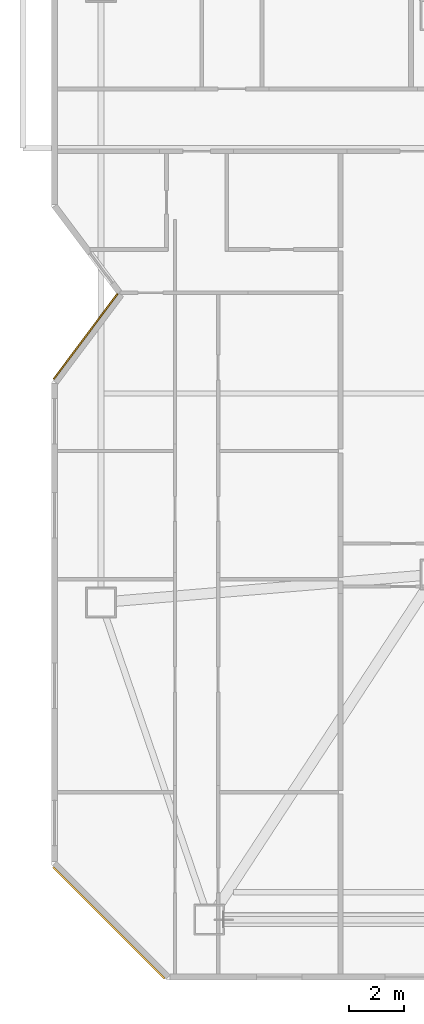
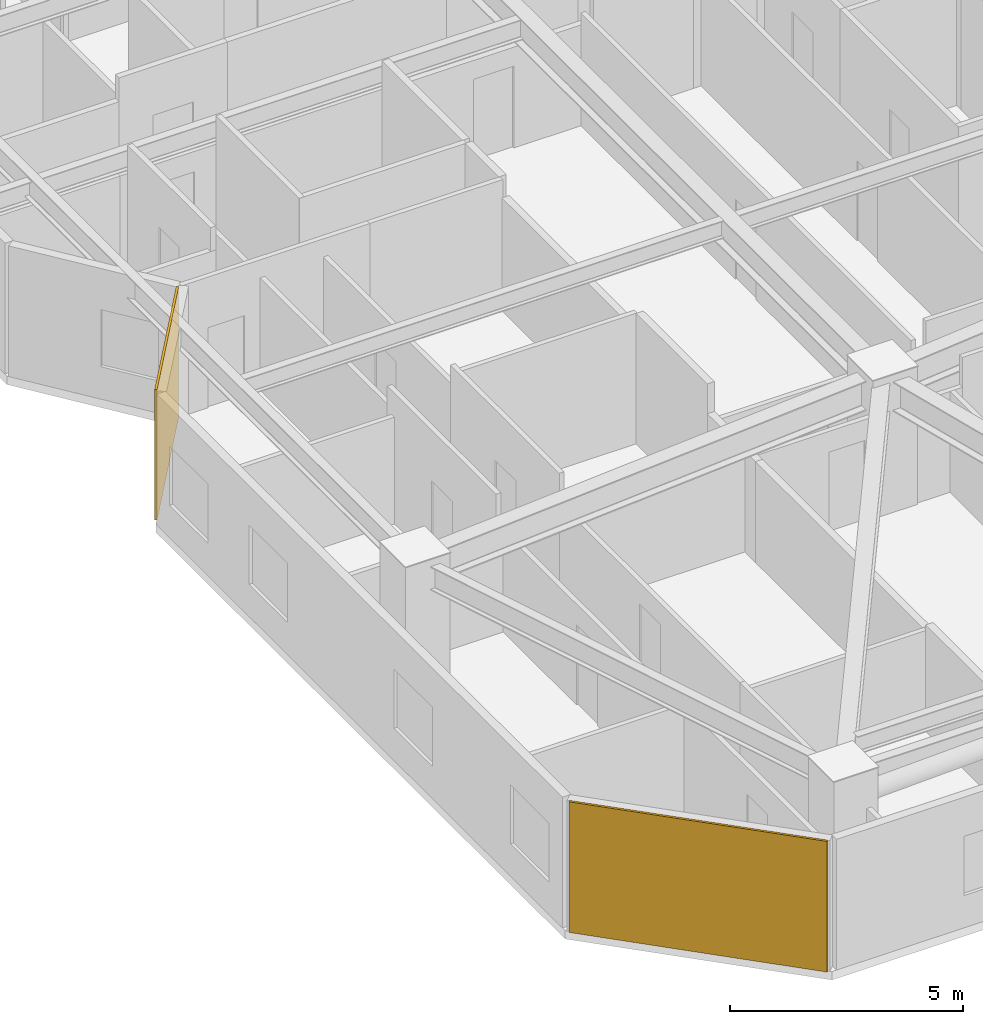
# One storey, part 15 of 17: 2 coverings.
"""IFC4 building model written with IfcOpenShell, lengths in metres."""

from ifc_helpers import new_model, si_unit, direction, frame, origin, origin_2d, place, context, subcontext, project, spatial, rectangle, extrude, material, layer, layer_set, type_object, element, save


model = new_model("IFC4")

# Units and contexts
model_context = context("Model", 3, precision=1e-05, world=origin(), true_north=direction((0.0, 1.0)))
body_context = subcontext(model_context, "Body", "Model", "MODEL_VIEW")
ifc_project = project(units=[si_unit("LENGTHUNIT", "METRE"), si_unit("AREAUNIT", "SQUARE_METRE"), si_unit("VOLUMEUNIT", "CUBIC_METRE"), si_unit("PLANEANGLEUNIT", "RADIAN"), si_unit("MASSUNIT", "GRAM", prefix="KILO")], contexts=[model_context])

# Site, building, storey
site_placement = place(None, origin())
site = spatial("IfcSite", under=ifc_project, at=site_placement, CompositionType="ELEMENT")
building_placement = place(site_placement, origin())
building = spatial("IfcBuilding", under=site, at=building_placement, Name="Khamvora Tower", CompositionType="ELEMENT")
storey_placement = place(building_placement, frame((0.0, 0.0, 73.449951171875)))
storey = spatial("IfcBuildingStorey", under=building, at=storey_placement, Name="L18", CompositionType="ELEMENT", Elevation=73.449951171875)

# Coverings
ifc_material = material(Name="Anodised Bronze Aluminium Spandrel Panel", Category="aluminium")
ifc_layer = layer(ifc_material, 0.054931640625)
ifc_layer_set = layer_set([ifc_layer], Name="Anodised Bronze Aluminium Spandrel Panel")
covering_type = type_object("IfcCoveringType", Name="COV-CLD-BRZ", PredefinedType="CLADDING", material=ifc_layer_set)
covering_1_placement = place(storey_placement, frame((6.0869140625, 5.0869140625, 0.0), z_axis=(0.0, 0.0, 1.0), x_axis=(-0.707106781187, 0.707106781187, 0.0)))
element("IfcCovering", 1, at=covering_1_placement, inside=storey, type_object=covering_type, Name="L18 chamfer rainscreen cladding 01.1", PredefinedType="CLADDING", context=body_context, shape_type="SweptSolid", body=[
    extrude(rectangle(XDim=5.7490234375, YDim=0.054931640625, at=origin_2d()), origin(), (0.0, 0.0, 1.0), 3.429931640625),
])
covering_2_placement = place(storey_placement, frame((5.239013671875, 26.48095703125, 0.0), z_axis=(0.0, 0.0, 1.0), x_axis=(0.599799379336, 0.8001504262, 0.0)))
element("IfcCovering", 2, at=covering_2_placement, inside=storey, type_object=covering_type, Name="L18 chamfer rainscreen cladding 03.1", PredefinedType="CLADDING", context=body_context, shape_type="SweptSolid", body=[
    extrude(rectangle(XDim=3.887939453125, YDim=0.054931640625, at=origin_2d()), origin(), (0.0, 0.0, 1.0), 3.429931640625),
])

save(model, "model.ifc")
